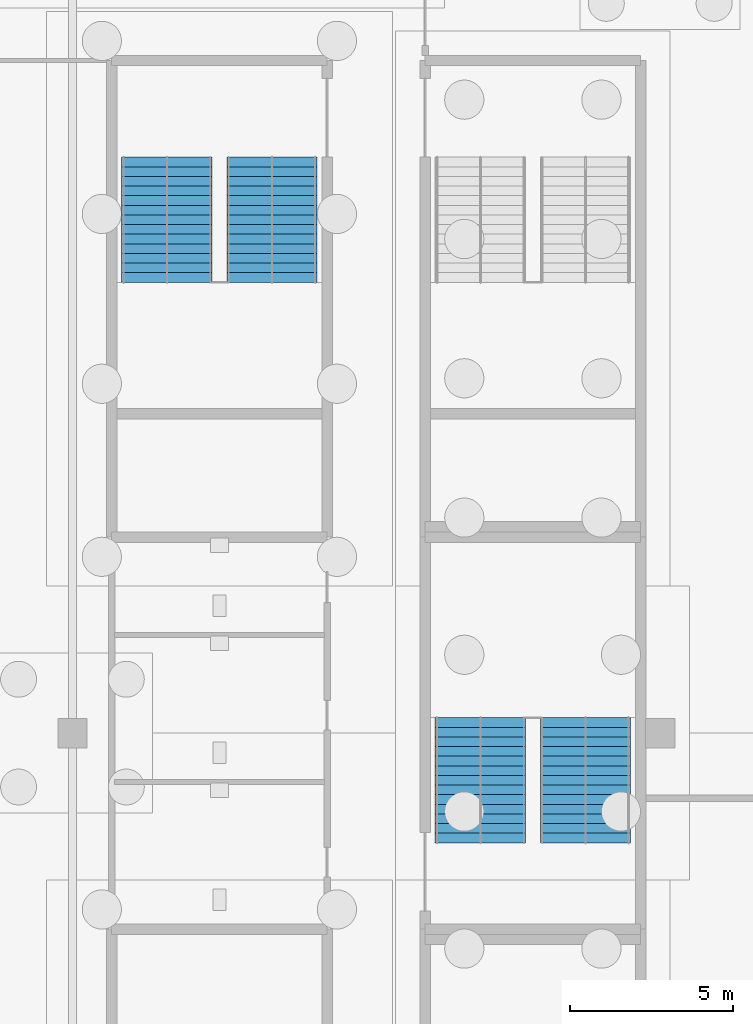
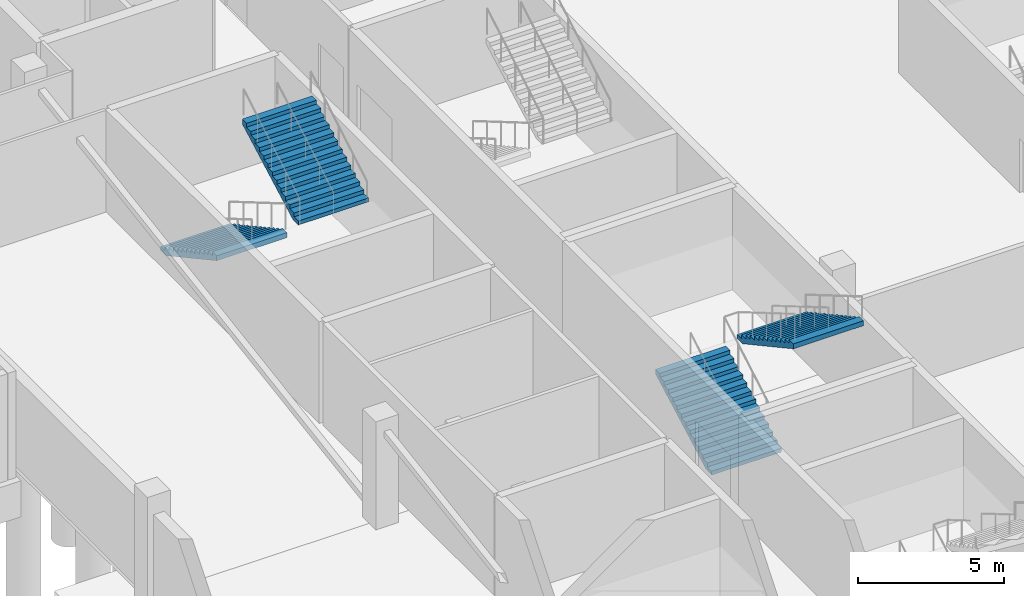
# One storey, part 31 of 46: 4 stair flights, 2 elements without a shape of their own.
"""IFC4 building model written with IfcOpenShell, lengths in metres."""

from ifc_helpers import new_model, si_unit, direction, frame, origin, place, context, subcontext, project, spatial, polygons, material, type_object, element, aggregate, save


model = new_model("IFC4")

# Units and contexts
model_context = context("Model", 3, precision=1e-05, world=origin(), true_north=direction((0.0, 1.0)))
body_context = subcontext(model_context, "Body", "Model", "MODEL_VIEW")
ifc_project = project(units=[si_unit("LENGTHUNIT", "METRE"), si_unit("AREAUNIT", "SQUARE_METRE"), si_unit("VOLUMEUNIT", "CUBIC_METRE"), si_unit("PLANEANGLEUNIT", "RADIAN"), si_unit("MASSUNIT", "GRAM", prefix="KILO")], contexts=[model_context])

# Site, building, storey
site_placement = place(None, origin())
site = spatial("IfcSite", under=ifc_project, at=site_placement, CompositionType="ELEMENT")
building_placement = place(site_placement, origin())
building = spatial("IfcBuilding", under=site, at=building_placement, Name="Kisiwana Market Hall", CompositionType="ELEMENT")
storey_placement = place(building_placement, frame((0.0, 0.0, -4.5)))
storey = spatial("IfcBuildingStorey", under=building, at=storey_placement, Name="B1", CompositionType="ELEMENT", Elevation=-4.5)

# Stair, stair flights
ifc_material_1 = material(Name="Concrete C32/40", Category="concrete")
stair_type = type_object("IfcStairType", Name="ST-ESC-4500", PredefinedType="TWO_STRAIGHT_RUN_STAIR", material=ifc_material_1)
stair_1_placement = place(storey_placement, origin())
stair_1 = element("IfcStair", 1, at=stair_1_placement, inside=storey, type_object=stair_type, Name="Escape stair ST-W4-B1", PredefinedType="TWO_STRAIGHT_RUN_STAIR")
ifc_material_2 = material(Name="Concrete C32/40", Category="concrete")
stair_flight_type = type_object("IfcStairFlightType", Name="SF-ESC-4500", PredefinedType="STRAIGHT", material=ifc_material_2)
stair_flight_1_placement = place(storey_placement, frame((11.889892578125, 77.639892578125, 0.0), z_axis=(0.0, 0.0, 1.0), x_axis=(0.0, -1.0, 0.0)))
stair_flight_1 = element("IfcStairFlight", 2, at=stair_flight_1_placement, type_object=stair_flight_type, Name="ST-W4-B1 flight 1", NumberOfRisers=14, NumberOfTreads=13, PredefinedType="STRAIGHT", RiserHeight=0.160714, TreadLength=0.295, context=body_context, shape_type="Tessellation", body=[
    polygons([(0.0, -1.380127, 0.0), (0.0, -0.690125, 0.0), (0.0, -0.000122, 0.0), (0.0, 0.68988, 0.0), (0.0, 1.379883, 0.0), (0.0, -1.380127, 0.160645), (0.0, -0.690125, 0.160645), (0.0, -0.000122, 0.160645), (0.0, 0.68988, 0.160645), (0.0, 1.379883, 0.160645), (0.294922, -1.380127, 0.160645), (0.294922, -0.690125, 0.160645), (0.294922, -0.000122, 0.160645), (0.294922, 0.68988, 0.160645), (0.294922, 1.379883, 0.160645), (0.294922, -1.380127, 0.321533), (0.294922, -0.690125, 0.321533), (0.294922, -0.000122, 0.321533), (0.294922, 0.68988, 0.321533), (0.294922, 1.379883, 0.321533), (0.590088, -1.380127, 0.321533), (0.590088, -0.690125, 0.321533), (0.590088, -0.000122, 0.321533), (0.590088, 0.68988, 0.321533), (0.590088, 1.379883, 0.321533), (0.590088, -1.380127, 0.482178), (0.590088, -0.690125, 0.482178), (0.590088, -0.000122, 0.482178), (0.590088, 0.68988, 0.482178), (0.590088, 1.379883, 0.482178), (0.88501, -1.380127, 0.482178), (0.88501, -0.690125, 0.482178), (0.88501, -0.000122, 0.482178), (0.88501, 0.68988, 0.482178), (0.88501, 1.379883, 0.482178), (0.88501, -1.380127, 0.642822), (0.88501, -0.690125, 0.642822), (0.88501, -0.000122, 0.642822), (0.88501, 0.68988, 0.642822), (0.88501, 1.379883, 0.642822), (1.179932, -1.380127, 0.642822), (1.179932, -0.690125, 0.642822), (1.179932, -0.000122, 0.642822), (1.179932, 0.68988, 0.642822), (1.179932, 1.379883, 0.642822), (1.179932, -1.380127, 0.803467), (1.179932, -0.690125, 0.803467), (1.179932, -0.000122, 0.803467), (1.179932, 0.68988, 0.803467), (1.179932, 1.379883, 0.803467), (1.475098, -1.380127, 0.803467), (1.475098, -0.690125, 0.803467), (1.475098, -0.000122, 0.803467), (1.475098, 0.68988, 0.803467), (1.475098, 1.379883, 0.803467), (1.475098, -1.380127, 0.964355), (1.475098, -0.690125, 0.964355), (1.475098, -0.000122, 0.964355), (1.475098, 0.68988, 0.964355), (1.475098, 1.379883, 0.964355), (1.77002, -1.380127, 0.964355), (1.77002, -0.690125, 0.964355), (1.77002, -0.000122, 0.964355), (1.77002, 0.68988, 0.964355), (1.77002, 1.379883, 0.964355), (1.77002, -1.380127, 1.125), (1.77002, -0.690125, 1.125), (1.77002, -0.000122, 1.125), (1.77002, 0.68988, 1.125), (1.77002, 1.379883, 1.125), (2.064941, -1.380127, 1.125), (2.064941, -0.690125, 1.125), (2.064941, -0.000122, 1.125), (2.064941, 0.68988, 1.125), (2.064941, 1.379883, 1.125), (2.064941, -1.380127, 1.285645), (2.064941, -0.690125, 1.285645), (2.064941, -0.000122, 1.285645), (2.064941, 0.68988, 1.285645), (2.064941, 1.379883, 1.285645), (2.360107, -1.380127, 1.285645), (2.360107, -0.690125, 1.285645), (2.360107, -0.000122, 1.285645), (2.360107, 0.68988, 1.285645), (2.360107, 1.379883, 1.285645), (2.360107, -1.380127, 1.446533), (2.360107, -0.690125, 1.446533), (2.360107, -0.000122, 1.446533), (2.360107, 0.68988, 1.446533), (2.360107, 1.379883, 1.446533), (2.655029, -1.380127, 1.446533), (2.655029, -0.690125, 1.446533), (2.655029, -0.000122, 1.446533), (2.655029, 0.68988, 1.446533), (2.655029, 1.379883, 1.446533), (2.655029, -1.380127, 1.607178), (2.655029, -0.690125, 1.607178), (2.655029, -0.000122, 1.607178), (2.655029, 0.68988, 1.607178), (2.655029, 1.379883, 1.607178), (2.949951, -1.380127, 1.607178), (2.949951, -0.690125, 1.607178), (2.949951, -0.000122, 1.607178), (2.949951, 0.68988, 1.607178), (2.949951, 1.379883, 1.607178), (2.949951, -1.380127, 1.767822), (2.949951, -0.690125, 1.767822), (2.949951, -0.000122, 1.767822), (2.949951, 0.68988, 1.767822), (2.949951, 1.379883, 1.767822), (3.245117, -1.380127, 1.767822), (3.245117, -0.690125, 1.767822), (3.245117, -0.000122, 1.767822), (3.245117, 0.68988, 1.767822), (3.245117, 1.379883, 1.767822), (3.245117, -1.380127, 1.928467), (3.245117, -0.690125, 1.928467), (3.245117, -0.000122, 1.928467), (3.245117, 0.68988, 1.928467), (3.245117, 1.379883, 1.928467), (3.540039, -1.380127, 1.928467), (3.540039, -0.690125, 1.928467), (3.540039, -0.000122, 1.928467), (3.540039, 0.68988, 1.928467), (3.540039, 1.379883, 1.928467), (3.540039, -1.380127, 2.089355), (3.540039, -0.690125, 2.089355), (3.540039, -0.000122, 2.089355), (3.540039, 0.68988, 2.089355), (3.540039, 1.379883, 2.089355), (3.834961, -1.380127, 2.089355), (3.834961, -0.690125, 2.089355), (3.834961, -0.000122, 2.089355), (3.834961, 0.68988, 2.089355), (3.834961, 1.379883, 2.089355), (3.834961, -1.380127, 1.884277), (3.834961, -0.690125, 1.884277), (3.834961, -0.000122, 1.884277), (3.834961, 0.68988, 1.884277), (3.834961, 1.379883, 1.884277), (0.376221, -1.380127, 0.0), (0.376221, -0.690125, 0.0), (0.376221, -0.000122, 0.0), (0.376221, 0.68988, 0.0), (0.376221, 1.379883, 0.0)], [[[1, 6, 7, 2]], [[2, 7, 8, 3]], [[3, 8, 9, 4]], [[4, 9, 10, 5]], [[6, 11, 12, 7]], [[7, 12, 13, 8]], [[8, 13, 14, 9]], [[9, 14, 15, 10]], [[11, 16, 17, 12]], [[12, 17, 18, 13]], [[13, 18, 19, 14]], [[14, 19, 20, 15]], [[16, 21, 22, 17]], [[17, 22, 23, 18]], [[18, 23, 24, 19]], [[19, 24, 25, 20]], [[21, 26, 27, 22]], [[22, 27, 28, 23]], [[23, 28, 29, 24]], [[24, 29, 30, 25]], [[26, 31, 32, 27]], [[27, 32, 33, 28]], [[28, 33, 34, 29]], [[29, 34, 35, 30]], [[31, 36, 37, 32]], [[32, 37, 38, 33]], [[33, 38, 39, 34]], [[34, 39, 40, 35]], [[36, 41, 42, 37]], [[37, 42, 43, 38]], [[38, 43, 44, 39]], [[39, 44, 45, 40]], [[41, 46, 47, 42]], [[42, 47, 48, 43]], [[43, 48, 49, 44]], [[44, 49, 50, 45]], [[46, 51, 52, 47]], [[47, 52, 53, 48]], [[48, 53, 54, 49]], [[49, 54, 55, 50]], [[51, 56, 57, 52]], [[52, 57, 58, 53]], [[53, 58, 59, 54]], [[54, 59, 60, 55]], [[56, 61, 62, 57]], [[57, 62, 63, 58]], [[58, 63, 64, 59]], [[59, 64, 65, 60]], [[61, 66, 67, 62]], [[62, 67, 68, 63]], [[63, 68, 69, 64]], [[64, 69, 70, 65]], [[66, 71, 72, 67]], [[67, 72, 73, 68]], [[68, 73, 74, 69]], [[69, 74, 75, 70]], [[71, 76, 77, 72]], [[72, 77, 78, 73]], [[73, 78, 79, 74]], [[74, 79, 80, 75]], [[76, 81, 82, 77]], [[77, 82, 83, 78]], [[78, 83, 84, 79]], [[79, 84, 85, 80]], [[81, 86, 87, 82]], [[82, 87, 88, 83]], [[83, 88, 89, 84]], [[84, 89, 90, 85]], [[86, 91, 92, 87]], [[87, 92, 93, 88]], [[88, 93, 94, 89]], [[89, 94, 95, 90]], [[91, 96, 97, 92]], [[92, 97, 98, 93]], [[93, 98, 99, 94]], [[94, 99, 100, 95]], [[96, 101, 102, 97]], [[97, 102, 103, 98]], [[98, 103, 104, 99]], [[99, 104, 105, 100]], [[101, 106, 107, 102]], [[102, 107, 108, 103]], [[103, 108, 109, 104]], [[104, 109, 110, 105]], [[106, 111, 112, 107]], [[107, 112, 113, 108]], [[108, 113, 114, 109]], [[109, 114, 115, 110]], [[111, 116, 117, 112]], [[112, 117, 118, 113]], [[113, 118, 119, 114]], [[114, 119, 120, 115]], [[116, 121, 122, 117]], [[117, 122, 123, 118]], [[118, 123, 124, 119]], [[119, 124, 125, 120]], [[121, 126, 127, 122]], [[122, 127, 128, 123]], [[123, 128, 129, 124]], [[124, 129, 130, 125]], [[126, 131, 132, 127]], [[127, 132, 133, 128]], [[128, 133, 134, 129]], [[129, 134, 135, 130]], [[131, 136, 137, 132]], [[132, 137, 138, 133]], [[133, 138, 139, 134]], [[134, 139, 140, 135]], [[136, 141, 142, 137]], [[137, 142, 143, 138]], [[138, 143, 144, 139]], [[139, 144, 145, 140]], [[141, 1, 2, 142]], [[142, 2, 3, 143]], [[143, 3, 4, 144]], [[144, 4, 5, 145]], [[141, 136, 131, 126, 121, 116, 111, 106, 101, 96, 91, 86, 81, 76, 71, 66, 61, 56, 51, 46, 41, 36, 31, 26, 21, 16, 11, 6, 1]], [[5, 10, 15, 20, 25, 30, 35, 40, 45, 50, 55, 60, 65, 70, 75, 80, 85, 90, 95, 100, 105, 110, 115, 120, 125, 130, 135, 140, 145]]], closed=True),
])
stair_flight_2_placement = place(storey_placement, frame((15.110107421875, 73.804931640625, 2.25), z_axis=(0.0, 0.0, 1.0), x_axis=(0.0, 1.0, 0.0)))
stair_flight_2 = element("IfcStairFlight", 3, at=stair_flight_2_placement, type_object=stair_flight_type, Name="ST-W4-B1 flight 2", NumberOfRisers=14, NumberOfTreads=13, PredefinedType="STRAIGHT", RiserHeight=0.160714, TreadLength=0.295, context=body_context, shape_type="Tessellation", body=[
    polygons([(0.0, -1.380127, 0.0), (0.0, -0.690125, 0.0), (0.0, -0.000122, 0.0), (0.0, 0.68988, 0.0), (0.0, 1.379883, 0.0), (0.0, -1.380127, 0.160645), (0.0, -0.690125, 0.160645), (0.0, -0.000122, 0.160645), (0.0, 0.68988, 0.160645), (0.0, 1.379883, 0.160645), (0.294922, -1.380127, 0.160645), (0.294922, -0.690125, 0.160645), (0.294922, -0.000122, 0.160645), (0.294922, 0.68988, 0.160645), (0.294922, 1.379883, 0.160645), (0.294922, -1.380127, 0.321533), (0.294922, -0.690125, 0.321533), (0.294922, -0.000122, 0.321533), (0.294922, 0.68988, 0.321533), (0.294922, 1.379883, 0.321533), (0.590088, -1.380127, 0.321533), (0.590088, -0.690125, 0.321533), (0.590088, -0.000122, 0.321533), (0.590088, 0.68988, 0.321533), (0.590088, 1.379883, 0.321533), (0.590088, -1.380127, 0.482178), (0.590088, -0.690125, 0.482178), (0.590088, -0.000122, 0.482178), (0.590088, 0.68988, 0.482178), (0.590088, 1.379883, 0.482178), (0.88501, -1.380127, 0.482178), (0.88501, -0.690125, 0.482178), (0.88501, -0.000122, 0.482178), (0.88501, 0.68988, 0.482178), (0.88501, 1.379883, 0.482178), (0.88501, -1.380127, 0.642822), (0.88501, -0.690125, 0.642822), (0.88501, -0.000122, 0.642822), (0.88501, 0.68988, 0.642822), (0.88501, 1.379883, 0.642822), (1.179932, -1.380127, 0.642822), (1.179932, -0.690125, 0.642822), (1.179932, -0.000122, 0.642822), (1.179932, 0.68988, 0.642822), (1.179932, 1.379883, 0.642822), (1.179932, -1.380127, 0.803467), (1.179932, -0.690125, 0.803467), (1.179932, -0.000122, 0.803467), (1.179932, 0.68988, 0.803467), (1.179932, 1.379883, 0.803467), (1.475098, -1.380127, 0.803467), (1.475098, -0.690125, 0.803467), (1.475098, -0.000122, 0.803467), (1.475098, 0.68988, 0.803467), (1.475098, 1.379883, 0.803467), (1.475098, -1.380127, 0.964355), (1.475098, -0.690125, 0.964355), (1.475098, -0.000122, 0.964355), (1.475098, 0.68988, 0.964355), (1.475098, 1.379883, 0.964355), (1.77002, -1.380127, 0.964355), (1.77002, -0.690125, 0.964355), (1.77002, -0.000122, 0.964355), (1.77002, 0.68988, 0.964355), (1.77002, 1.379883, 0.964355), (1.77002, -1.380127, 1.125), (1.77002, -0.690125, 1.125), (1.77002, -0.000122, 1.125), (1.77002, 0.68988, 1.125), (1.77002, 1.379883, 1.125), (2.064941, -1.380127, 1.125), (2.064941, -0.690125, 1.125), (2.064941, -0.000122, 1.125), (2.064941, 0.68988, 1.125), (2.064941, 1.379883, 1.125), (2.064941, -1.380127, 1.285645), (2.064941, -0.690125, 1.285645), (2.064941, -0.000122, 1.285645), (2.064941, 0.68988, 1.285645), (2.064941, 1.379883, 1.285645), (2.360107, -1.380127, 1.285645), (2.360107, -0.690125, 1.285645), (2.360107, -0.000122, 1.285645), (2.360107, 0.68988, 1.285645), (2.360107, 1.379883, 1.285645), (2.360107, -1.380127, 1.446533), (2.360107, -0.690125, 1.446533), (2.360107, -0.000122, 1.446533), (2.360107, 0.68988, 1.446533), (2.360107, 1.379883, 1.446533), (2.655029, -1.380127, 1.446533), (2.655029, -0.690125, 1.446533), (2.655029, -0.000122, 1.446533), (2.655029, 0.68988, 1.446533), (2.655029, 1.379883, 1.446533), (2.655029, -1.380127, 1.607178), (2.655029, -0.690125, 1.607178), (2.655029, -0.000122, 1.607178), (2.655029, 0.68988, 1.607178), (2.655029, 1.379883, 1.607178), (2.949951, -1.380127, 1.607178), (2.949951, -0.690125, 1.607178), (2.949951, -0.000122, 1.607178), (2.949951, 0.68988, 1.607178), (2.949951, 1.379883, 1.607178), (2.949951, -1.380127, 1.767822), (2.949951, -0.690125, 1.767822), (2.949951, -0.000122, 1.767822), (2.949951, 0.68988, 1.767822), (2.949951, 1.379883, 1.767822), (3.245117, -1.380127, 1.767822), (3.245117, -0.690125, 1.767822), (3.245117, -0.000122, 1.767822), (3.245117, 0.68988, 1.767822), (3.245117, 1.379883, 1.767822), (3.245117, -1.380127, 1.928467), (3.245117, -0.690125, 1.928467), (3.245117, -0.000122, 1.928467), (3.245117, 0.68988, 1.928467), (3.245117, 1.379883, 1.928467), (3.540039, -1.380127, 1.928467), (3.540039, -0.690125, 1.928467), (3.540039, -0.000122, 1.928467), (3.540039, 0.68988, 1.928467), (3.540039, 1.379883, 1.928467), (3.540039, -1.380127, 2.089355), (3.540039, -0.690125, 2.089355), (3.540039, -0.000122, 2.089355), (3.540039, 0.68988, 2.089355), (3.540039, 1.379883, 2.089355), (3.834961, -1.380127, 2.089355), (3.834961, -0.690125, 2.089355), (3.834961, -0.000122, 2.089355), (3.834961, 0.68988, 2.089355), (3.834961, 1.379883, 2.089355), (3.834961, -1.380127, 1.884277), (3.834961, -0.690125, 1.884277), (3.834961, -0.000122, 1.884277), (3.834961, 0.68988, 1.884277), (3.834961, 1.379883, 1.884277), (0.376221, -1.380127, 0.0), (0.376221, -0.690125, 0.0), (0.376221, -0.000122, 0.0), (0.376221, 0.68988, 0.0), (0.376221, 1.379883, 0.0)], [[[1, 6, 7, 2]], [[2, 7, 8, 3]], [[3, 8, 9, 4]], [[4, 9, 10, 5]], [[6, 11, 12, 7]], [[7, 12, 13, 8]], [[8, 13, 14, 9]], [[9, 14, 15, 10]], [[11, 16, 17, 12]], [[12, 17, 18, 13]], [[13, 18, 19, 14]], [[14, 19, 20, 15]], [[16, 21, 22, 17]], [[17, 22, 23, 18]], [[18, 23, 24, 19]], [[19, 24, 25, 20]], [[21, 26, 27, 22]], [[22, 27, 28, 23]], [[23, 28, 29, 24]], [[24, 29, 30, 25]], [[26, 31, 32, 27]], [[27, 32, 33, 28]], [[28, 33, 34, 29]], [[29, 34, 35, 30]], [[31, 36, 37, 32]], [[32, 37, 38, 33]], [[33, 38, 39, 34]], [[34, 39, 40, 35]], [[36, 41, 42, 37]], [[37, 42, 43, 38]], [[38, 43, 44, 39]], [[39, 44, 45, 40]], [[41, 46, 47, 42]], [[42, 47, 48, 43]], [[43, 48, 49, 44]], [[44, 49, 50, 45]], [[46, 51, 52, 47]], [[47, 52, 53, 48]], [[48, 53, 54, 49]], [[49, 54, 55, 50]], [[51, 56, 57, 52]], [[52, 57, 58, 53]], [[53, 58, 59, 54]], [[54, 59, 60, 55]], [[56, 61, 62, 57]], [[57, 62, 63, 58]], [[58, 63, 64, 59]], [[59, 64, 65, 60]], [[61, 66, 67, 62]], [[62, 67, 68, 63]], [[63, 68, 69, 64]], [[64, 69, 70, 65]], [[66, 71, 72, 67]], [[67, 72, 73, 68]], [[68, 73, 74, 69]], [[69, 74, 75, 70]], [[71, 76, 77, 72]], [[72, 77, 78, 73]], [[73, 78, 79, 74]], [[74, 79, 80, 75]], [[76, 81, 82, 77]], [[77, 82, 83, 78]], [[78, 83, 84, 79]], [[79, 84, 85, 80]], [[81, 86, 87, 82]], [[82, 87, 88, 83]], [[83, 88, 89, 84]], [[84, 89, 90, 85]], [[86, 91, 92, 87]], [[87, 92, 93, 88]], [[88, 93, 94, 89]], [[89, 94, 95, 90]], [[91, 96, 97, 92]], [[92, 97, 98, 93]], [[93, 98, 99, 94]], [[94, 99, 100, 95]], [[96, 101, 102, 97]], [[97, 102, 103, 98]], [[98, 103, 104, 99]], [[99, 104, 105, 100]], [[101, 106, 107, 102]], [[102, 107, 108, 103]], [[103, 108, 109, 104]], [[104, 109, 110, 105]], [[106, 111, 112, 107]], [[107, 112, 113, 108]], [[108, 113, 114, 109]], [[109, 114, 115, 110]], [[111, 116, 117, 112]], [[112, 117, 118, 113]], [[113, 118, 119, 114]], [[114, 119, 120, 115]], [[116, 121, 122, 117]], [[117, 122, 123, 118]], [[118, 123, 124, 119]], [[119, 124, 125, 120]], [[121, 126, 127, 122]], [[122, 127, 128, 123]], [[123, 128, 129, 124]], [[124, 129, 130, 125]], [[126, 131, 132, 127]], [[127, 132, 133, 128]], [[128, 133, 134, 129]], [[129, 134, 135, 130]], [[131, 136, 137, 132]], [[132, 137, 138, 133]], [[133, 138, 139, 134]], [[134, 139, 140, 135]], [[136, 141, 142, 137]], [[137, 142, 143, 138]], [[138, 143, 144, 139]], [[139, 144, 145, 140]], [[141, 1, 2, 142]], [[142, 2, 3, 143]], [[143, 3, 4, 144]], [[144, 4, 5, 145]], [[141, 136, 131, 126, 121, 116, 111, 106, 101, 96, 91, 86, 81, 76, 71, 66, 61, 56, 51, 46, 41, 36, 31, 26, 21, 16, 11, 6, 1]], [[5, 10, 15, 20, 25, 30, 35, 40, 45, 50, 55, 60, 65, 70, 75, 80, 85, 90, 95, 100, 105, 110, 115, 120, 125, 130, 135, 140, 145]]], closed=True),
])
aggregate(stair_1, [stair_flight_1, stair_flight_2])

stair_2_placement = place(storey_placement, origin())
stair_2 = element("IfcStair", 4, at=stair_2_placement, inside=storey, type_object=stair_type, Name="Escape stair ST-W5-B1", PredefinedType="TWO_STRAIGHT_RUN_STAIR")
stair_flight_3_placement = place(storey_placement, frame((21.489990234375, 56.639892578125, 0.0), z_axis=(0.0, 0.0, 1.0), x_axis=(0.0, 1.0, 0.0)))
stair_flight_3 = element("IfcStairFlight", 5, at=stair_flight_3_placement, type_object=stair_flight_type, Name="ST-W5-B1 flight 1", NumberOfRisers=14, NumberOfTreads=13, PredefinedType="STRAIGHT", RiserHeight=0.160714, TreadLength=0.295, context=body_context, shape_type="Tessellation", body=[
    polygons([(0.0, -1.380127, 0.0), (0.0, -0.690125, 0.0), (0.0, -0.000122, 0.0), (0.0, 0.68988, 0.0), (0.0, 1.379883, 0.0), (0.0, -1.380127, 0.160645), (0.0, -0.690125, 0.160645), (0.0, -0.000122, 0.160645), (0.0, 0.68988, 0.160645), (0.0, 1.379883, 0.160645), (0.294922, -1.380127, 0.160645), (0.294922, -0.690125, 0.160645), (0.294922, -0.000122, 0.160645), (0.294922, 0.68988, 0.160645), (0.294922, 1.379883, 0.160645), (0.294922, -1.380127, 0.321533), (0.294922, -0.690125, 0.321533), (0.294922, -0.000122, 0.321533), (0.294922, 0.68988, 0.321533), (0.294922, 1.379883, 0.321533), (0.590088, -1.380127, 0.321533), (0.590088, -0.690125, 0.321533), (0.590088, -0.000122, 0.321533), (0.590088, 0.68988, 0.321533), (0.590088, 1.379883, 0.321533), (0.590088, -1.380127, 0.482178), (0.590088, -0.690125, 0.482178), (0.590088, -0.000122, 0.482178), (0.590088, 0.68988, 0.482178), (0.590088, 1.379883, 0.482178), (0.88501, -1.380127, 0.482178), (0.88501, -0.690125, 0.482178), (0.88501, -0.000122, 0.482178), (0.88501, 0.68988, 0.482178), (0.88501, 1.379883, 0.482178), (0.88501, -1.380127, 0.642822), (0.88501, -0.690125, 0.642822), (0.88501, -0.000122, 0.642822), (0.88501, 0.68988, 0.642822), (0.88501, 1.379883, 0.642822), (1.179932, -1.380127, 0.642822), (1.179932, -0.690125, 0.642822), (1.179932, -0.000122, 0.642822), (1.179932, 0.68988, 0.642822), (1.179932, 1.379883, 0.642822), (1.179932, -1.380127, 0.803467), (1.179932, -0.690125, 0.803467), (1.179932, -0.000122, 0.803467), (1.179932, 0.68988, 0.803467), (1.179932, 1.379883, 0.803467), (1.475098, -1.380127, 0.803467), (1.475098, -0.690125, 0.803467), (1.475098, -0.000122, 0.803467), (1.475098, 0.68988, 0.803467), (1.475098, 1.379883, 0.803467), (1.475098, -1.380127, 0.964355), (1.475098, -0.690125, 0.964355), (1.475098, -0.000122, 0.964355), (1.475098, 0.68988, 0.964355), (1.475098, 1.379883, 0.964355), (1.77002, -1.380127, 0.964355), (1.77002, -0.690125, 0.964355), (1.77002, -0.000122, 0.964355), (1.77002, 0.68988, 0.964355), (1.77002, 1.379883, 0.964355), (1.77002, -1.380127, 1.125), (1.77002, -0.690125, 1.125), (1.77002, -0.000122, 1.125), (1.77002, 0.68988, 1.125), (1.77002, 1.379883, 1.125), (2.064941, -1.380127, 1.125), (2.064941, -0.690125, 1.125), (2.064941, -0.000122, 1.125), (2.064941, 0.68988, 1.125), (2.064941, 1.379883, 1.125), (2.064941, -1.380127, 1.285645), (2.064941, -0.690125, 1.285645), (2.064941, -0.000122, 1.285645), (2.064941, 0.68988, 1.285645), (2.064941, 1.379883, 1.285645), (2.360107, -1.380127, 1.285645), (2.360107, -0.690125, 1.285645), (2.360107, -0.000122, 1.285645), (2.360107, 0.68988, 1.285645), (2.360107, 1.379883, 1.285645), (2.360107, -1.380127, 1.446533), (2.360107, -0.690125, 1.446533), (2.360107, -0.000122, 1.446533), (2.360107, 0.68988, 1.446533), (2.360107, 1.379883, 1.446533), (2.655029, -1.380127, 1.446533), (2.655029, -0.690125, 1.446533), (2.655029, -0.000122, 1.446533), (2.655029, 0.68988, 1.446533), (2.655029, 1.379883, 1.446533), (2.655029, -1.380127, 1.607178), (2.655029, -0.690125, 1.607178), (2.655029, -0.000122, 1.607178), (2.655029, 0.68988, 1.607178), (2.655029, 1.379883, 1.607178), (2.949951, -1.380127, 1.607178), (2.949951, -0.690125, 1.607178), (2.949951, -0.000122, 1.607178), (2.949951, 0.68988, 1.607178), (2.949951, 1.379883, 1.607178), (2.949951, -1.380127, 1.767822), (2.949951, -0.690125, 1.767822), (2.949951, -0.000122, 1.767822), (2.949951, 0.68988, 1.767822), (2.949951, 1.379883, 1.767822), (3.245117, -1.380127, 1.767822), (3.245117, -0.690125, 1.767822), (3.245117, -0.000122, 1.767822), (3.245117, 0.68988, 1.767822), (3.245117, 1.379883, 1.767822), (3.245117, -1.380127, 1.928467), (3.245117, -0.690125, 1.928467), (3.245117, -0.000122, 1.928467), (3.245117, 0.68988, 1.928467), (3.245117, 1.379883, 1.928467), (3.540039, -1.380127, 1.928467), (3.540039, -0.690125, 1.928467), (3.540039, -0.000122, 1.928467), (3.540039, 0.68988, 1.928467), (3.540039, 1.379883, 1.928467), (3.540039, -1.380127, 2.089355), (3.540039, -0.690125, 2.089355), (3.540039, -0.000122, 2.089355), (3.540039, 0.68988, 2.089355), (3.540039, 1.379883, 2.089355), (3.834961, -1.380127, 2.089355), (3.834961, -0.690125, 2.089355), (3.834961, -0.000122, 2.089355), (3.834961, 0.68988, 2.089355), (3.834961, 1.379883, 2.089355), (3.834961, -1.380127, 1.884277), (3.834961, -0.690125, 1.884277), (3.834961, -0.000122, 1.884277), (3.834961, 0.68988, 1.884277), (3.834961, 1.379883, 1.884277), (0.376221, -1.380127, 0.0), (0.376221, -0.690125, 0.0), (0.376221, -0.000122, 0.0), (0.376221, 0.68988, 0.0), (0.376221, 1.379883, 0.0)], [[[1, 6, 7, 2]], [[2, 7, 8, 3]], [[3, 8, 9, 4]], [[4, 9, 10, 5]], [[6, 11, 12, 7]], [[7, 12, 13, 8]], [[8, 13, 14, 9]], [[9, 14, 15, 10]], [[11, 16, 17, 12]], [[12, 17, 18, 13]], [[13, 18, 19, 14]], [[14, 19, 20, 15]], [[16, 21, 22, 17]], [[17, 22, 23, 18]], [[18, 23, 24, 19]], [[19, 24, 25, 20]], [[21, 26, 27, 22]], [[22, 27, 28, 23]], [[23, 28, 29, 24]], [[24, 29, 30, 25]], [[26, 31, 32, 27]], [[27, 32, 33, 28]], [[28, 33, 34, 29]], [[29, 34, 35, 30]], [[31, 36, 37, 32]], [[32, 37, 38, 33]], [[33, 38, 39, 34]], [[34, 39, 40, 35]], [[36, 41, 42, 37]], [[37, 42, 43, 38]], [[38, 43, 44, 39]], [[39, 44, 45, 40]], [[41, 46, 47, 42]], [[42, 47, 48, 43]], [[43, 48, 49, 44]], [[44, 49, 50, 45]], [[46, 51, 52, 47]], [[47, 52, 53, 48]], [[48, 53, 54, 49]], [[49, 54, 55, 50]], [[51, 56, 57, 52]], [[52, 57, 58, 53]], [[53, 58, 59, 54]], [[54, 59, 60, 55]], [[56, 61, 62, 57]], [[57, 62, 63, 58]], [[58, 63, 64, 59]], [[59, 64, 65, 60]], [[61, 66, 67, 62]], [[62, 67, 68, 63]], [[63, 68, 69, 64]], [[64, 69, 70, 65]], [[66, 71, 72, 67]], [[67, 72, 73, 68]], [[68, 73, 74, 69]], [[69, 74, 75, 70]], [[71, 76, 77, 72]], [[72, 77, 78, 73]], [[73, 78, 79, 74]], [[74, 79, 80, 75]], [[76, 81, 82, 77]], [[77, 82, 83, 78]], [[78, 83, 84, 79]], [[79, 84, 85, 80]], [[81, 86, 87, 82]], [[82, 87, 88, 83]], [[83, 88, 89, 84]], [[84, 89, 90, 85]], [[86, 91, 92, 87]], [[87, 92, 93, 88]], [[88, 93, 94, 89]], [[89, 94, 95, 90]], [[91, 96, 97, 92]], [[92, 97, 98, 93]], [[93, 98, 99, 94]], [[94, 99, 100, 95]], [[96, 101, 102, 97]], [[97, 102, 103, 98]], [[98, 103, 104, 99]], [[99, 104, 105, 100]], [[101, 106, 107, 102]], [[102, 107, 108, 103]], [[103, 108, 109, 104]], [[104, 109, 110, 105]], [[106, 111, 112, 107]], [[107, 112, 113, 108]], [[108, 113, 114, 109]], [[109, 114, 115, 110]], [[111, 116, 117, 112]], [[112, 117, 118, 113]], [[113, 118, 119, 114]], [[114, 119, 120, 115]], [[116, 121, 122, 117]], [[117, 122, 123, 118]], [[118, 123, 124, 119]], [[119, 124, 125, 120]], [[121, 126, 127, 122]], [[122, 127, 128, 123]], [[123, 128, 129, 124]], [[124, 129, 130, 125]], [[126, 131, 132, 127]], [[127, 132, 133, 128]], [[128, 133, 134, 129]], [[129, 134, 135, 130]], [[131, 136, 137, 132]], [[132, 137, 138, 133]], [[133, 138, 139, 134]], [[134, 139, 140, 135]], [[136, 141, 142, 137]], [[137, 142, 143, 138]], [[138, 143, 144, 139]], [[139, 144, 145, 140]], [[141, 1, 2, 142]], [[142, 2, 3, 143]], [[143, 3, 4, 144]], [[144, 4, 5, 145]], [[141, 136, 131, 126, 121, 116, 111, 106, 101, 96, 91, 86, 81, 76, 71, 66, 61, 56, 51, 46, 41, 36, 31, 26, 21, 16, 11, 6, 1]], [[5, 10, 15, 20, 25, 30, 35, 40, 45, 50, 55, 60, 65, 70, 75, 80, 85, 90, 95, 100, 105, 110, 115, 120, 125, 130, 135, 140, 145]]], closed=True),
])
stair_flight_4_placement = place(storey_placement, frame((24.7099609375, 60.47509765625, 2.25), z_axis=(0.0, 0.0, 1.0), x_axis=(0.0, -1.0, 0.0)))
stair_flight_4 = element("IfcStairFlight", 6, at=stair_flight_4_placement, type_object=stair_flight_type, Name="ST-W5-B1 flight 2", NumberOfRisers=14, NumberOfTreads=13, PredefinedType="STRAIGHT", RiserHeight=0.160714, TreadLength=0.295, context=body_context, shape_type="Tessellation", body=[
    polygons([(0.0, -1.380127, 0.0), (0.0, -0.690125, 0.0), (0.0, -0.000122, 0.0), (0.0, 0.68988, 0.0), (0.0, 1.379883, 0.0), (0.0, -1.380127, 0.160645), (0.0, -0.690125, 0.160645), (0.0, -0.000122, 0.160645), (0.0, 0.68988, 0.160645), (0.0, 1.379883, 0.160645), (0.294922, -1.380127, 0.160645), (0.294922, -0.690125, 0.160645), (0.294922, -0.000122, 0.160645), (0.294922, 0.68988, 0.160645), (0.294922, 1.379883, 0.160645), (0.294922, -1.380127, 0.321533), (0.294922, -0.690125, 0.321533), (0.294922, -0.000122, 0.321533), (0.294922, 0.68988, 0.321533), (0.294922, 1.379883, 0.321533), (0.590088, -1.380127, 0.321533), (0.590088, -0.690125, 0.321533), (0.590088, -0.000122, 0.321533), (0.590088, 0.68988, 0.321533), (0.590088, 1.379883, 0.321533), (0.590088, -1.380127, 0.482178), (0.590088, -0.690125, 0.482178), (0.590088, -0.000122, 0.482178), (0.590088, 0.68988, 0.482178), (0.590088, 1.379883, 0.482178), (0.88501, -1.380127, 0.482178), (0.88501, -0.690125, 0.482178), (0.88501, -0.000122, 0.482178), (0.88501, 0.68988, 0.482178), (0.88501, 1.379883, 0.482178), (0.88501, -1.380127, 0.642822), (0.88501, -0.690125, 0.642822), (0.88501, -0.000122, 0.642822), (0.88501, 0.68988, 0.642822), (0.88501, 1.379883, 0.642822), (1.179932, -1.380127, 0.642822), (1.179932, -0.690125, 0.642822), (1.179932, -0.000122, 0.642822), (1.179932, 0.68988, 0.642822), (1.179932, 1.379883, 0.642822), (1.179932, -1.380127, 0.803467), (1.179932, -0.690125, 0.803467), (1.179932, -0.000122, 0.803467), (1.179932, 0.68988, 0.803467), (1.179932, 1.379883, 0.803467), (1.475098, -1.380127, 0.803467), (1.475098, -0.690125, 0.803467), (1.475098, -0.000122, 0.803467), (1.475098, 0.68988, 0.803467), (1.475098, 1.379883, 0.803467), (1.475098, -1.380127, 0.964355), (1.475098, -0.690125, 0.964355), (1.475098, -0.000122, 0.964355), (1.475098, 0.68988, 0.964355), (1.475098, 1.379883, 0.964355), (1.77002, -1.380127, 0.964355), (1.77002, -0.690125, 0.964355), (1.77002, -0.000122, 0.964355), (1.77002, 0.68988, 0.964355), (1.77002, 1.379883, 0.964355), (1.77002, -1.380127, 1.125), (1.77002, -0.690125, 1.125), (1.77002, -0.000122, 1.125), (1.77002, 0.68988, 1.125), (1.77002, 1.379883, 1.125), (2.064941, -1.380127, 1.125), (2.064941, -0.690125, 1.125), (2.064941, -0.000122, 1.125), (2.064941, 0.68988, 1.125), (2.064941, 1.379883, 1.125), (2.064941, -1.380127, 1.285645), (2.064941, -0.690125, 1.285645), (2.064941, -0.000122, 1.285645), (2.064941, 0.68988, 1.285645), (2.064941, 1.379883, 1.285645), (2.360107, -1.380127, 1.285645), (2.360107, -0.690125, 1.285645), (2.360107, -0.000122, 1.285645), (2.360107, 0.68988, 1.285645), (2.360107, 1.379883, 1.285645), (2.360107, -1.380127, 1.446533), (2.360107, -0.690125, 1.446533), (2.360107, -0.000122, 1.446533), (2.360107, 0.68988, 1.446533), (2.360107, 1.379883, 1.446533), (2.655029, -1.380127, 1.446533), (2.655029, -0.690125, 1.446533), (2.655029, -0.000122, 1.446533), (2.655029, 0.68988, 1.446533), (2.655029, 1.379883, 1.446533), (2.655029, -1.380127, 1.607178), (2.655029, -0.690125, 1.607178), (2.655029, -0.000122, 1.607178), (2.655029, 0.68988, 1.607178), (2.655029, 1.379883, 1.607178), (2.949951, -1.380127, 1.607178), (2.949951, -0.690125, 1.607178), (2.949951, -0.000122, 1.607178), (2.949951, 0.68988, 1.607178), (2.949951, 1.379883, 1.607178), (2.949951, -1.380127, 1.767822), (2.949951, -0.690125, 1.767822), (2.949951, -0.000122, 1.767822), (2.949951, 0.68988, 1.767822), (2.949951, 1.379883, 1.767822), (3.245117, -1.380127, 1.767822), (3.245117, -0.690125, 1.767822), (3.245117, -0.000122, 1.767822), (3.245117, 0.68988, 1.767822), (3.245117, 1.379883, 1.767822), (3.245117, -1.380127, 1.928467), (3.245117, -0.690125, 1.928467), (3.245117, -0.000122, 1.928467), (3.245117, 0.68988, 1.928467), (3.245117, 1.379883, 1.928467), (3.540039, -1.380127, 1.928467), (3.540039, -0.690125, 1.928467), (3.540039, -0.000122, 1.928467), (3.540039, 0.68988, 1.928467), (3.540039, 1.379883, 1.928467), (3.540039, -1.380127, 2.089355), (3.540039, -0.690125, 2.089355), (3.540039, -0.000122, 2.089355), (3.540039, 0.68988, 2.089355), (3.540039, 1.379883, 2.089355), (3.834961, -1.380127, 2.089355), (3.834961, -0.690125, 2.089355), (3.834961, -0.000122, 2.089355), (3.834961, 0.68988, 2.089355), (3.834961, 1.379883, 2.089355), (3.834961, -1.380127, 1.884277), (3.834961, -0.690125, 1.884277), (3.834961, -0.000122, 1.884277), (3.834961, 0.68988, 1.884277), (3.834961, 1.379883, 1.884277), (0.376221, -1.380127, 0.0), (0.376221, -0.690125, 0.0), (0.376221, -0.000122, 0.0), (0.376221, 0.68988, 0.0), (0.376221, 1.379883, 0.0)], [[[1, 6, 7, 2]], [[2, 7, 8, 3]], [[3, 8, 9, 4]], [[4, 9, 10, 5]], [[6, 11, 12, 7]], [[7, 12, 13, 8]], [[8, 13, 14, 9]], [[9, 14, 15, 10]], [[11, 16, 17, 12]], [[12, 17, 18, 13]], [[13, 18, 19, 14]], [[14, 19, 20, 15]], [[16, 21, 22, 17]], [[17, 22, 23, 18]], [[18, 23, 24, 19]], [[19, 24, 25, 20]], [[21, 26, 27, 22]], [[22, 27, 28, 23]], [[23, 28, 29, 24]], [[24, 29, 30, 25]], [[26, 31, 32, 27]], [[27, 32, 33, 28]], [[28, 33, 34, 29]], [[29, 34, 35, 30]], [[31, 36, 37, 32]], [[32, 37, 38, 33]], [[33, 38, 39, 34]], [[34, 39, 40, 35]], [[36, 41, 42, 37]], [[37, 42, 43, 38]], [[38, 43, 44, 39]], [[39, 44, 45, 40]], [[41, 46, 47, 42]], [[42, 47, 48, 43]], [[43, 48, 49, 44]], [[44, 49, 50, 45]], [[46, 51, 52, 47]], [[47, 52, 53, 48]], [[48, 53, 54, 49]], [[49, 54, 55, 50]], [[51, 56, 57, 52]], [[52, 57, 58, 53]], [[53, 58, 59, 54]], [[54, 59, 60, 55]], [[56, 61, 62, 57]], [[57, 62, 63, 58]], [[58, 63, 64, 59]], [[59, 64, 65, 60]], [[61, 66, 67, 62]], [[62, 67, 68, 63]], [[63, 68, 69, 64]], [[64, 69, 70, 65]], [[66, 71, 72, 67]], [[67, 72, 73, 68]], [[68, 73, 74, 69]], [[69, 74, 75, 70]], [[71, 76, 77, 72]], [[72, 77, 78, 73]], [[73, 78, 79, 74]], [[74, 79, 80, 75]], [[76, 81, 82, 77]], [[77, 82, 83, 78]], [[78, 83, 84, 79]], [[79, 84, 85, 80]], [[81, 86, 87, 82]], [[82, 87, 88, 83]], [[83, 88, 89, 84]], [[84, 89, 90, 85]], [[86, 91, 92, 87]], [[87, 92, 93, 88]], [[88, 93, 94, 89]], [[89, 94, 95, 90]], [[91, 96, 97, 92]], [[92, 97, 98, 93]], [[93, 98, 99, 94]], [[94, 99, 100, 95]], [[96, 101, 102, 97]], [[97, 102, 103, 98]], [[98, 103, 104, 99]], [[99, 104, 105, 100]], [[101, 106, 107, 102]], [[102, 107, 108, 103]], [[103, 108, 109, 104]], [[104, 109, 110, 105]], [[106, 111, 112, 107]], [[107, 112, 113, 108]], [[108, 113, 114, 109]], [[109, 114, 115, 110]], [[111, 116, 117, 112]], [[112, 117, 118, 113]], [[113, 118, 119, 114]], [[114, 119, 120, 115]], [[116, 121, 122, 117]], [[117, 122, 123, 118]], [[118, 123, 124, 119]], [[119, 124, 125, 120]], [[121, 126, 127, 122]], [[122, 127, 128, 123]], [[123, 128, 129, 124]], [[124, 129, 130, 125]], [[126, 131, 132, 127]], [[127, 132, 133, 128]], [[128, 133, 134, 129]], [[129, 134, 135, 130]], [[131, 136, 137, 132]], [[132, 137, 138, 133]], [[133, 138, 139, 134]], [[134, 139, 140, 135]], [[136, 141, 142, 137]], [[137, 142, 143, 138]], [[138, 143, 144, 139]], [[139, 144, 145, 140]], [[141, 1, 2, 142]], [[142, 2, 3, 143]], [[143, 3, 4, 144]], [[144, 4, 5, 145]], [[141, 136, 131, 126, 121, 116, 111, 106, 101, 96, 91, 86, 81, 76, 71, 66, 61, 56, 51, 46, 41, 36, 31, 26, 21, 16, 11, 6, 1]], [[5, 10, 15, 20, 25, 30, 35, 40, 45, 50, 55, 60, 65, 70, 75, 80, 85, 90, 95, 100, 105, 110, 115, 120, 125, 130, 135, 140, 145]]], closed=True),
])
aggregate(stair_2, [stair_flight_3, stair_flight_4])

save(model, "model.ifc")
